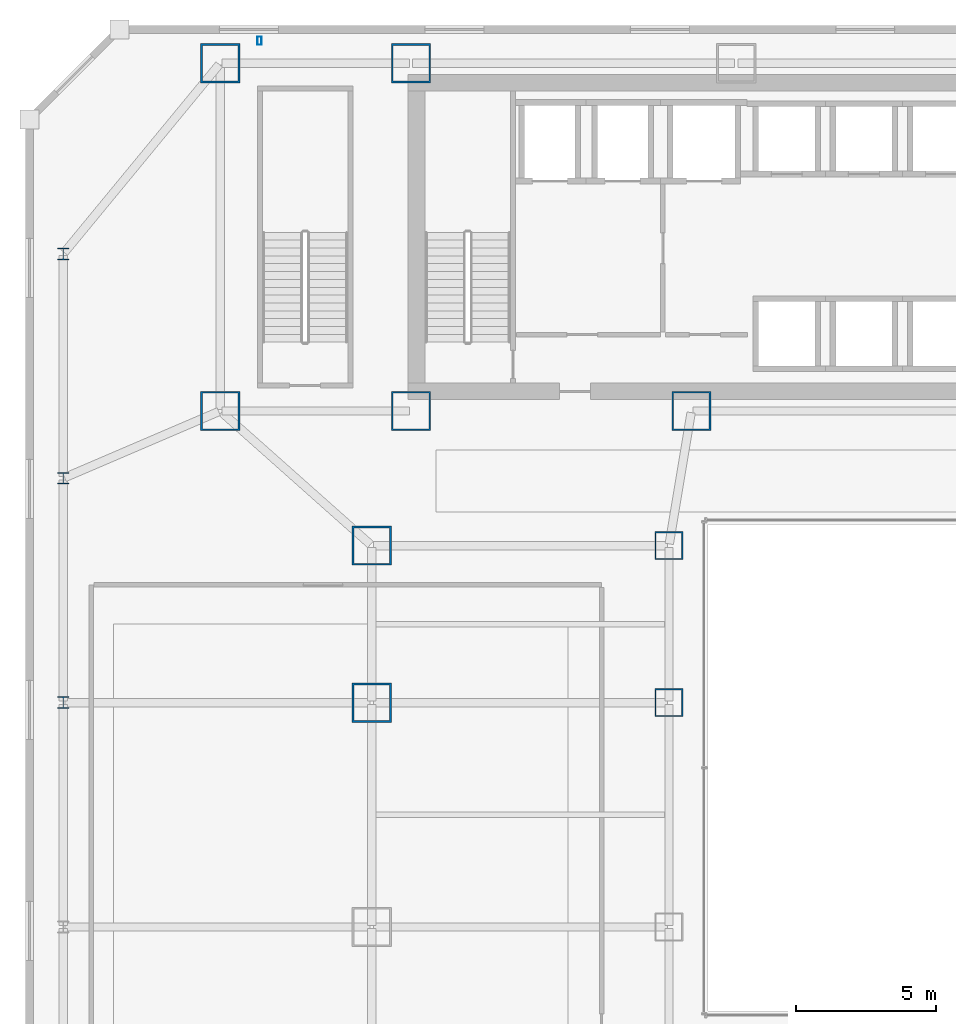
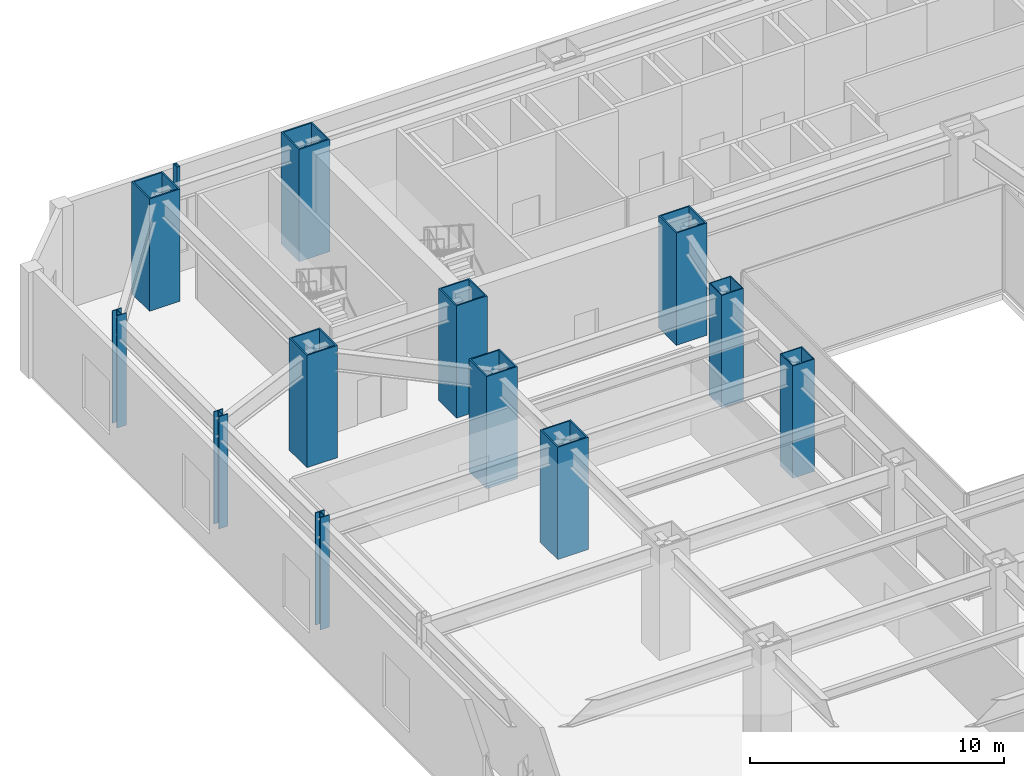
# One storey, part 3 of 51: 13 columns.
"""IFC4 building model written with IfcOpenShell, lengths in metres."""

from ifc_helpers import new_model, si_unit, direction, frame, origin, origin_2d, place, context, subcontext, project, spatial, hollow_rectangle, i_section, extrude, material, material_profile, profile_set, type_object, element, save


model = new_model("IFC4")

# Units and contexts
model_context = context("Model", 3, precision=1e-05, world=origin(), true_north=direction((0.0, 1.0)))
body_context = subcontext(model_context, "Body", "Model", "MODEL_VIEW")
ifc_project = project(units=[si_unit("LENGTHUNIT", "METRE"), si_unit("AREAUNIT", "SQUARE_METRE"), si_unit("VOLUMEUNIT", "CUBIC_METRE"), si_unit("PLANEANGLEUNIT", "RADIAN"), si_unit("MASSUNIT", "GRAM", prefix="KILO")], contexts=[model_context])

# Site, building, storey
site_placement = place(None, origin())
site = spatial("IfcSite", under=ifc_project, at=site_placement, CompositionType="ELEMENT")
building_placement = place(site_placement, origin())
building = spatial("IfcBuilding", under=site, at=building_placement, Name="Saevonmaru Cultural Tower", CompositionType="ELEMENT")
storey_placement = place(building_placement, frame((0.0, 0.0, 6.0)))
storey = spatial("IfcBuildingStorey", under=building, at=storey_placement, Name="L01", CompositionType="ELEMENT", Elevation=6.0)

# Columns
ifc_material_1 = material(Name="Steel SM420", Category="steel")
ifc_material_profile_1 = material_profile(ifc_material_1, hollow_rectangle(XDim=1.0, YDim=1.0, WallThickness=0.044921875, at=origin_2d()), Name="BOX-1000x1000x45")
ifc_profile_set_1 = profile_set([ifc_material_profile_1], Name="Steel SM420")
column_type_1 = type_object("IfcColumnType", Name="COL-BOX-1000", PredefinedType="COLUMN", material=ifc_profile_set_1)
for number, where, z_axis, x_axis, name in (
    (1, (22.800048828125, 32.0, 0.0), (0.0, 0.0, 1.0), (1.0, 0.0, 0.0), "L01 Column PC-W2-E"),
    (2, (22.800048828125, 37.60009765625, 0.0), (0.0, 0.0, 1.0), (1.0, 0.0, 0.0), "L01 Column PC-W2-F"),
):
    element("IfcColumn", number, at=place(storey_placement, frame(where, z_axis=z_axis, x_axis=x_axis)), inside=storey, type_object=column_type_1, Name=name, PredefinedType="COLUMN", context=body_context, shape_type="SweptSolid", body=[
        extrude(hollow_rectangle(XDim=1.0, YDim=1.0, WallThickness=0.044921875, at=origin_2d()), origin(), (0.0, 0.0, 1.0), 5.39990234375),
    ])
ifc_material_2 = material(Name="Steel HSA600 (600 MPa)", Category="steel")
ifc_material_profile_2 = material_profile(ifc_material_2, hollow_rectangle(XDim=1.39990234375, YDim=1.39990234375, WallThickness=0.06494140625, at=origin_2d()), Name="BOX-1400x1400x65")
ifc_profile_set_2 = profile_set([ifc_material_profile_2], Name="Steel HSA600 (600 MPa)")
column_type_2 = type_object("IfcColumnType", Name="COL-BOX-1400", PredefinedType="COLUMN", material=ifc_profile_set_2)
for number, where, z_axis, x_axis, name in (
    (3, (6.800048828125, 54.800048828125, 0.0), (0.0, 0.0, 1.0), (1.0, 0.0, 0.0), "L01 Column TC-N1N"),
    (4, (13.60009765625, 54.800048828125, 0.0), (0.0, 0.0, 1.0), (1.0, 0.0, 0.0), "L01 Column TC-N2N"),
    (5, (6.800048828125, 42.39990234375, 0.0), (0.0, 0.0, 1.0), (1.0, 0.0, 0.0), "L01 Column TC-S1C"),
    (6, (13.60009765625, 42.39990234375, 0.0), (0.0, 0.0, 1.0), (1.0, 0.0, 0.0), "L01 Column TC-S2C"),
    (7, (23.60009765625, 42.39990234375, 0.0), (0.0, 0.0, 1.0), (1.0, 0.0, 0.0), "L01 Column TC-S3C"),
    (8, (12.199951171875, 32.0, 0.0), (0.0, 0.0, 1.0), (1.0, 0.0, 0.0), "L01 Column PC-W1-E"),
    (9, (12.199951171875, 37.60009765625, 0.0), (0.0, 0.0, 1.0), (1.0, 0.0, 0.0), "L01 Column PC-W1-F"),
):
    element("IfcColumn", number, at=place(storey_placement, frame(where, z_axis=z_axis, x_axis=x_axis)), inside=storey, type_object=column_type_2, Name=name, PredefinedType="COLUMN", context=body_context, shape_type="SweptSolid", body=[
        extrude(hollow_rectangle(XDim=1.39990234375, YDim=1.39990234375, WallThickness=0.06494140625, at=origin_2d()), origin(), (0.0, 0.0, 1.0), 5.39990234375),
    ])
ifc_material_profile_3 = material_profile(ifc_material_1, i_section(OverallWidth=0.419921875, OverallDepth=0.419921875, WebThickness=0.02001953125, FlangeThickness=0.034912109375, FilletRadius=0.02197265625, at=origin_2d()), Name="H-428x407x20x35")
ifc_profile_set_3 = profile_set([ifc_material_profile_3], Name="Steel SM420")
column_type_3 = type_object("IfcColumnType", Name="COL-H-428", PredefinedType="COLUMN", material=ifc_profile_set_3)
for number, where, z_axis, x_axis, name in (
    (10, (1.199951171875, 32.0, 0.0), (0.0, 0.0, 1.0), (1.0, 0.0, 0.0), "L01 Column PC-PW-E"),
    (11, (1.199951171875, 40.0, 0.0), (0.0, 0.0, 1.0), (1.0, 0.0, 0.0), "L01 Column PC-PW-F"),
    (12, (1.199951171875, 48.0, 0.0), (0.0, 0.0, 1.0), (1.0, 0.0, 0.0), "L01 Column PC-PW-G"),
):
    element("IfcColumn", number, at=place(storey_placement, frame(where, z_axis=z_axis, x_axis=x_axis)), inside=storey, type_object=column_type_3, Name=name, PredefinedType="COLUMN", context=body_context, shape_type="SweptSolid", body=[
        extrude(i_section(OverallWidth=0.419921875, OverallDepth=0.419921875, WebThickness=0.02001953125, FlangeThickness=0.034912109375, FilletRadius=0.02197265625, at=origin_2d()), origin(), (0.0, 0.0, 1.0), 5.39990234375),
    ])
ifc_material_3 = material(Name="Steel SM355", Category="steel")
ifc_material_profile_4 = material_profile(ifc_material_3, hollow_rectangle(XDim=0.14990234375, YDim=0.300048828125, WallThickness=0.010009765625, at=origin_2d()), Name="RHS-300x150x10")
ifc_profile_set_4 = profile_set([ifc_material_profile_4], Name="Steel SM355")
column_type_4 = type_object("IfcColumnType", Name="PIL-RHS-300", PredefinedType="PILASTER", material=ifc_profile_set_4)
column_placement = place(storey_placement, frame((8.199951171875, 55.60009765625, 0.0), z_axis=(0.0, 0.0, 1.0), x_axis=(1.0, 0.0, 0.0)))
element("IfcColumn", 13, at=column_placement, inside=storey, type_object=column_type_4, Name="L01 Art Deco Bronze-Clad Pilaster PIL-NW", PredefinedType="PILASTER", context=body_context, shape_type="SweptSolid", body=[
    extrude(hollow_rectangle(XDim=0.14990234375, YDim=0.300048828125, WallThickness=0.010009765625, at=origin_2d()), origin(), (0.0, 0.0, 1.0), 5.39990234375),
])

save(model, "model.ifc")
